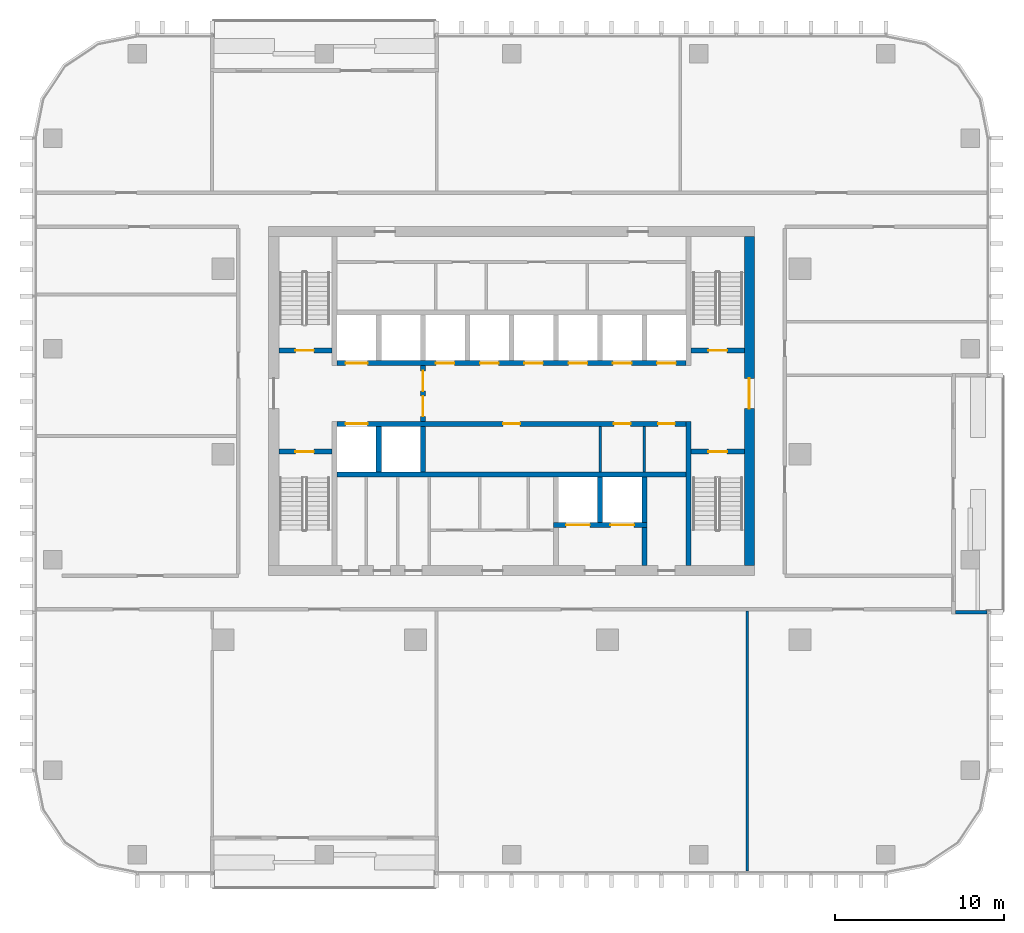
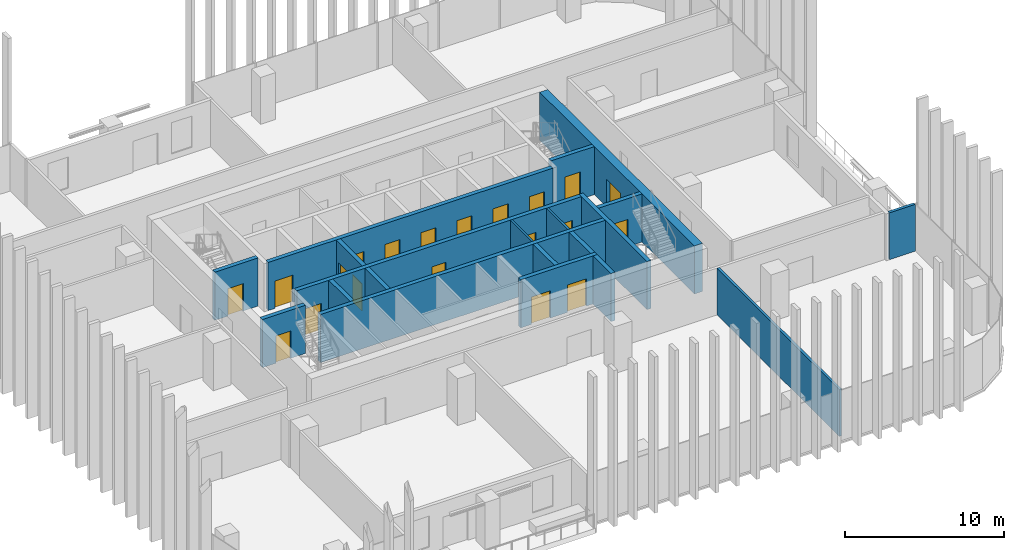
# One storey, part 8 of 15: 20 doors, 20 walls, 20 openings.
"""IFC4 building model written with IfcOpenShell, lengths in metres."""

from ifc_helpers import new_model, si_unit, direction, frame, frame_2d, origin, place, context, subcontext, project, spatial, rectangle, extrude, material, layer, layer_set, type_object, element, fill, save


model = new_model("IFC4")

# Units and contexts
model_context = context("Model", 3, precision=1e-05, world=origin(), true_north=direction((0.0, 1.0)))
body_context = subcontext(model_context, "Body", "Model", "MODEL_VIEW")
ifc_project = project(units=[si_unit("LENGTHUNIT", "METRE"), si_unit("AREAUNIT", "SQUARE_METRE"), si_unit("VOLUMEUNIT", "CUBIC_METRE"), si_unit("PLANEANGLEUNIT", "RADIAN"), si_unit("MASSUNIT", "GRAM", prefix="KILO")], contexts=[model_context])

# Site, building, storey
site_placement = place(None, origin())
site = spatial("IfcSite", under=ifc_project, at=site_placement, CompositionType="ELEMENT")
building_placement = place(site_placement, origin())
building = spatial("IfcBuilding", under=site, at=building_placement, Name="Mopane Tessera Tower", CompositionType="ELEMENT")
storey_placement = place(building_placement, frame((0.0, 0.0, 223.0)))
storey = spatial("IfcBuildingStorey", under=building, at=storey_placement, Name="L47", CompositionType="ELEMENT", Elevation=223.0)

# Walls
ifc_material_1 = material(Name="Fire-rated gypsum board partition")
ifc_layer_1 = layer(ifc_material_1, 0.14990234375)
ifc_layer_set_1 = layer_set([ifc_layer_1], Name="Fire-rated gypsum board partition")
wall_type_1 = type_object("IfcWallType", Name="Core room partition 150 mm", PredefinedType="PARTITIONING", material=ifc_layer_set_1)
for number, where, z_axis, x_axis, name in (
    (1, (5.25, -1.050048828125, 0.0), (0.0, 0.0, 1.0), (0.0, 1.0, 0.0), "L47 Room partition"),
    (2, (7.875, -1.050048828125, 0.0), (0.0, 0.0, 1.0), (0.0, 1.0, 0.0), "L47 Room partition"),
):
    element("IfcWall", number, at=place(storey_placement, frame(where, z_axis=z_axis, x_axis=x_axis)), inside=storey, type_object=wall_type_1, Name=name, PredefinedType="PARTITIONING", context=body_context, shape_type="SweptSolid", body=[
        extrude(rectangle(XDim=2.699951171875, YDim=0.14990234375, at=frame_2d((1.35009765625, 0.0))), origin(), (0.0, 0.0, 1.0), 3.699951171875),
    ])

# Wall, opening, door
ifc_material_2 = material(Name="Concrete C70/85", Category="concrete")
ifc_layer_2 = layer(ifc_material_2, 0.60009765625)
ifc_layer_set_2 = layer_set([ifc_layer_2], Name="Concrete C70/85")
wall_type_2 = type_object("IfcWallType", Name="Core shear wall 600 mm", PredefinedType="SHEAR", material=ifc_layer_set_2)
wall_1_placement = place(storey_placement, frame((14.10009765625, -6.60009765625, 0.0), z_axis=(0.0, 0.0, 1.0), x_axis=(0.0, 1.0, 0.0)))
wall_1 = element("IfcWall", 3, at=wall_1_placement, inside=storey, type_object=wall_type_2, Name="L47 Core wall east", PredefinedType="SHEAR", context=body_context, shape_type="SweptSolid", body=[
    extrude(rectangle(XDim=19.5, YDim=0.60009765625, at=frame_2d((9.75, 0.0))), origin(), (0.0, 0.0, 1.0), 3.699951171875),
])
opening_1_placement = place(wall_1_placement, frame((9.300048828125, 0.0, 0.0)))
opening_1 = element("IfcOpeningElement", 4, at=opening_1_placement, cuts=wall_1, Name="Opening SD2", PredefinedType="OPENING", context=body_context, shape_type="SweptSolid", body=[
    extrude(rectangle(XDim=1.800048828125, YDim=2.10009765625, at=frame_2d((0.89990234375, 1.050048828125))), frame((0.0, 0.31201171875, 0.0), z_axis=(0.0, -1.0, 0.0), x_axis=(1.0, 0.0, 0.0)), (0.0, 0.0, 1.0), 0.6240234375),
])
ifc_material_3 = material(Name="Steel fire door", Category="steel")
door_type_1 = type_object("IfcDoorType", Name="Core entrance double door 1800 x 2100", OperationType="DOUBLE_DOOR_SINGLE_SWING", PredefinedType="DOOR", material=ifc_material_3)
door_1_placement = place(opening_1_placement, origin())
door_1 = element("IfcDoor", 5, at=door_1_placement, inside=storey, type_object=door_type_1, Name="L47 Core entrance door east", OperationType="DOUBLE_DOOR_SINGLE_SWING", OverallHeight=2.10009765625, OverallWidth=1.800048828125, PredefinedType="DOOR", context=body_context, shape_type="SweptSolid", body=[
    extrude(rectangle(XDim=1.800048828125, YDim=2.10009765625, at=frame_2d((0.89990234375, 1.050048828125))), frame((0.0, 0.02490234375, 0.0), z_axis=(0.0, -1.0, 0.0), x_axis=(1.0, 0.0, 0.0)), (0.0, 0.0, 1.0), 0.050048828125),
])
fill(opening_1, door_1)

# Walls
ifc_material_4 = material(Name="Concrete C60/75", Category="concrete")
ifc_layer_3 = layer(ifc_material_4, 0.300048828125)
ifc_layer_set_3 = layer_set([ifc_layer_3], Name="Concrete C60/75")
wall_type_3 = type_object("IfcWallType", Name="Core spine wall 300 mm", PredefinedType="SHEAR", material=ifc_layer_set_3)
wall_2_placement = place(storey_placement, frame((10.5, -6.60009765625, 0.0), z_axis=(0.0, 0.0, 1.0), x_axis=(0.0, 1.0, 0.0)))
element("IfcWall", 6, at=wall_2_placement, inside=storey, type_object=wall_type_3, Name="L47 Core spine wall", PredefinedType="SHEAR", context=body_context, shape_type="SweptSolid", body=[
    extrude(rectangle(XDim=8.550048828125, YDim=0.300048828125, at=frame_2d((4.27490234375, 0.0))), origin(), (0.0, 0.0, 1.0), 3.699951171875),
])
ifc_material_5 = material(Name="Gypsum board on staggered steel studs, double layer each face, acoustic mineral wool infill", Category="steel")
ifc_layer_4 = layer(ifc_material_5, 0.175048828125)
ifc_layer_set_4 = layer_set([ifc_layer_4], Name="Gypsum board on staggered steel studs, double layer each face, acoustic mineral wool infill")
wall_type_4 = type_object("IfcWallType", Name="Gypsum board acoustic partition 175, rated EI 60", PredefinedType="PARTITIONING", material=ifc_layer_set_4)
wall_3_placement = place(storey_placement, frame((13.97509765625, -24.699951171875, 0.0), z_axis=(0.0, 0.0, 1.0), x_axis=(0.0, 1.0, 0.0)))
element("IfcWall", 7, at=wall_3_placement, inside=storey, type_object=wall_type_4, Name="Partition L47:017", PredefinedType="PARTITIONING", context=body_context, shape_type="SweptSolid", body=[
    extrude(rectangle(XDim=15.39990234375, YDim=0.175048828125, at=frame_2d((7.699951171875, 0.0))), origin(), (0.0, 0.0, 1.0), 3.60009765625),
])

# Wall, opening, door
ifc_material_6 = material(Name="Concrete C50/60", Category="concrete")
ifc_layer_5 = layer(ifc_material_6, 0.300048828125)
ifc_layer_set_5 = layer_set([ifc_layer_5], Name="Concrete C50/60")
wall_type_5 = type_object("IfcWallType", Name="Lift and stair shaft wall 300 mm", PredefinedType="SOLIDWALL", material=ifc_layer_set_5)
wall_4_placement = place(storey_placement, frame((-13.800048828125, 0.14990234375, 0.0), z_axis=(0.0, 0.0, 1.0), x_axis=(1.0, 0.0, 0.0)))
wall_4 = element("IfcWall", 8, at=wall_4_placement, inside=storey, type_object=wall_type_5, Name="L47 Stair enclosure wall", PredefinedType="SOLIDWALL", context=body_context, shape_type="SweptSolid", body=[
    extrude(rectangle(XDim=3.150146484375, YDim=0.300048828125, at=frame_2d((1.5751953125, 0.0))), origin(), (0.0, 0.0, 1.0), 3.699951171875),
])
opening_2_placement = place(wall_4_placement, frame((0.97509765625, 0.0, 0.0)))
opening_2 = element("IfcOpeningElement", 9, at=opening_2_placement, cuts=wall_4, Name="Opening SD1", PredefinedType="OPENING", context=body_context, shape_type="SweptSolid", body=[
    extrude(rectangle(XDim=1.10009765625, YDim=2.10009765625, at=frame_2d((0.550048828125, 1.050048828125))), frame((0.0, 0.162109375, 0.0), z_axis=(0.0, -1.0, 0.0), x_axis=(1.0, 0.0, 0.0)), (0.0, 0.0, 1.0), 0.323974609375),
])
ifc_material_7 = material(Name="Steel fire door", Category="steel")
door_type_2 = type_object("IfcDoorType", Name="Stair fire door 1100 x 2100", OperationType="SINGLE_SWING_LEFT", PredefinedType="DOOR", material=ifc_material_7)
door_2_placement = place(opening_2_placement, origin())
door_2 = element("IfcDoor", 10, at=door_2_placement, inside=storey, type_object=door_type_2, Name="L47 Stair door ST1", OperationType="SINGLE_SWING_LEFT", OverallHeight=2.10009765625, OverallWidth=1.10009765625, PredefinedType="DOOR", context=body_context, shape_type="SweptSolid", body=[
    extrude(rectangle(XDim=1.10009765625, YDim=2.10009765625, at=frame_2d((0.550048828125, 1.050048828125))), frame((0.0, 0.02490234375, 0.0), z_axis=(0.0, -1.0, 0.0), x_axis=(1.0, 0.0, 0.0)), (0.0, 0.0, 1.0), 0.050048828125),
])
fill(opening_2, door_2)

wall_5_placement = place(storey_placement, frame((-13.800048828125, 6.14990234375, 0.0), z_axis=(0.0, 0.0, 1.0), x_axis=(1.0, 0.0, 0.0)))
wall_5 = element("IfcWall", 11, at=wall_5_placement, inside=storey, type_object=wall_type_5, Name="L47 Stair enclosure wall", PredefinedType="SOLIDWALL", context=body_context, shape_type="SweptSolid", body=[
    extrude(rectangle(XDim=3.150146484375, YDim=0.300048828125, at=frame_2d((1.5751953125, 0.0))), origin(), (0.0, 0.0, 1.0), 3.699951171875),
])
opening_3_placement = place(wall_5_placement, frame((0.97509765625, 0.0, 0.0)))
opening_3 = element("IfcOpeningElement", 12, at=opening_3_placement, cuts=wall_5, Name="Opening SD1", PredefinedType="OPENING", context=body_context, shape_type="SweptSolid", body=[
    extrude(rectangle(XDim=1.10009765625, YDim=2.10009765625, at=frame_2d((0.550048828125, 1.050048828125))), frame((0.0, 0.162109375, 0.0), z_axis=(0.0, -1.0, 0.0), x_axis=(1.0, 0.0, 0.0)), (0.0, 0.0, 1.0), 0.323974609375),
])
door_3_placement = place(opening_3_placement, origin())
door_3 = element("IfcDoor", 13, at=door_3_placement, inside=storey, type_object=door_type_2, Name="L47 Stair door ST2", OperationType="SINGLE_SWING_LEFT", OverallHeight=2.10009765625, OverallWidth=1.10009765625, PredefinedType="DOOR", context=body_context, shape_type="SweptSolid", body=[
    extrude(rectangle(XDim=1.10009765625, YDim=2.10009765625, at=frame_2d((0.550048828125, 1.050048828125))), frame((0.0, 0.02490234375, 0.0), z_axis=(0.0, -1.0, 0.0), x_axis=(1.0, 0.0, 0.0)), (0.0, 0.0, 1.0), 0.050048828125),
])
fill(opening_3, door_3)

wall_6_placement = place(storey_placement, frame((10.64990234375, 0.14990234375, 0.0), z_axis=(0.0, 0.0, 1.0), x_axis=(1.0, 0.0, 0.0)))
wall_6 = element("IfcWall", 14, at=wall_6_placement, inside=storey, type_object=wall_type_5, Name="L47 Stair enclosure wall", PredefinedType="SOLIDWALL", context=body_context, shape_type="SweptSolid", body=[
    extrude(rectangle(XDim=3.150146484375, YDim=0.300048828125, at=frame_2d((1.5751953125, 0.0))), origin(), (0.0, 0.0, 1.0), 3.699951171875),
])
opening_4_placement = place(wall_6_placement, frame((1.02490234375, 0.0, 0.0)))
opening_4 = element("IfcOpeningElement", 15, at=opening_4_placement, cuts=wall_6, Name="Opening SD1", PredefinedType="OPENING", context=body_context, shape_type="SweptSolid", body=[
    extrude(rectangle(XDim=1.10009765625, YDim=2.10009765625, at=frame_2d((0.550048828125, 1.050048828125))), frame((0.0, 0.162109375, 0.0), z_axis=(0.0, -1.0, 0.0), x_axis=(1.0, 0.0, 0.0)), (0.0, 0.0, 1.0), 0.323974609375),
])
door_4_placement = place(opening_4_placement, origin())
door_4 = element("IfcDoor", 16, at=door_4_placement, inside=storey, type_object=door_type_2, Name="L47 Stair door ST3", OperationType="SINGLE_SWING_RIGHT", OverallHeight=2.10009765625, OverallWidth=1.10009765625, PredefinedType="DOOR", context=body_context, shape_type="SweptSolid", body=[
    extrude(rectangle(XDim=1.10009765625, YDim=2.10009765625, at=frame_2d((0.550048828125, 1.050048828125))), frame((0.0, 0.02490234375, 0.0), z_axis=(0.0, -1.0, 0.0), x_axis=(1.0, 0.0, 0.0)), (0.0, 0.0, 1.0), 0.050048828125),
])
fill(opening_4, door_4)

wall_7_placement = place(storey_placement, frame((10.64990234375, 6.14990234375, 0.0), z_axis=(0.0, 0.0, 1.0), x_axis=(1.0, 0.0, 0.0)))
wall_7 = element("IfcWall", 17, at=wall_7_placement, inside=storey, type_object=wall_type_5, Name="L47 Stair enclosure wall", PredefinedType="SOLIDWALL", context=body_context, shape_type="SweptSolid", body=[
    extrude(rectangle(XDim=3.150146484375, YDim=0.300048828125, at=frame_2d((1.5751953125, 0.0))), origin(), (0.0, 0.0, 1.0), 3.699951171875),
])
opening_5_placement = place(wall_7_placement, frame((1.02490234375, 0.0, 0.0)))
opening_5 = element("IfcOpeningElement", 18, at=opening_5_placement, cuts=wall_7, Name="Opening SD1", PredefinedType="OPENING", context=body_context, shape_type="SweptSolid", body=[
    extrude(rectangle(XDim=1.10009765625, YDim=2.10009765625, at=frame_2d((0.550048828125, 1.050048828125))), frame((0.0, 0.162109375, 0.0), z_axis=(0.0, -1.0, 0.0), x_axis=(1.0, 0.0, 0.0)), (0.0, 0.0, 1.0), 0.323974609375),
])
door_5_placement = place(opening_5_placement, origin())
door_5 = element("IfcDoor", 19, at=door_5_placement, inside=storey, type_object=door_type_2, Name="L47 Stair door ST4", OperationType="SINGLE_SWING_RIGHT", OverallHeight=2.10009765625, OverallWidth=1.10009765625, PredefinedType="DOOR", context=body_context, shape_type="SweptSolid", body=[
    extrude(rectangle(XDim=1.10009765625, YDim=2.10009765625, at=frame_2d((0.550048828125, 1.050048828125))), frame((0.0, 0.02490234375, 0.0), z_axis=(0.0, -1.0, 0.0), x_axis=(1.0, 0.0, 0.0)), (0.0, 0.0, 1.0), 0.050048828125),
])
fill(opening_5, door_5)

# Wall
wall_8_placement = place(storey_placement, frame((-10.35009765625, -1.199951171875, 0.0), z_axis=(0.0, 0.0, 1.0), x_axis=(1.0, 0.0, 0.0)))
element("IfcWall", 20, at=wall_8_placement, inside=storey, type_object=wall_type_5, Name="L47 Lift shaft rear wall", PredefinedType="SOLIDWALL", context=body_context, shape_type="SweptSolid", body=[
    extrude(rectangle(XDim=20.7001953125, YDim=0.300048828125, at=frame_2d((10.35009765625, 0.0))), origin(), (0.0, 0.0, 1.0), 3.699951171875),
])

# Wall, openings, doors
wall_9_placement = place(storey_placement, frame((-10.35009765625, 1.800048828125, 0.0), z_axis=(0.0, 0.0, 1.0), x_axis=(1.0, 0.0, 0.0)))
wall_9 = element("IfcWall", 21, at=wall_9_placement, inside=storey, type_object=wall_type_5, Name="L47 Lift shaft front wall", PredefinedType="SOLIDWALL", context=body_context, shape_type="SweptSolid", body=[
    extrude(rectangle(XDim=20.7001953125, YDim=0.300048828125, at=frame_2d((10.35009765625, 0.0))), origin(), (0.0, 0.0, 1.0), 3.699951171875),
])
opening_6_placement = place(wall_9_placement, frame((0.512451171875, 0.0, 0.0)))
opening_6 = element("IfcOpeningElement", 22, at=opening_6_placement, cuts=wall_9, Name="Opening LD2", PredefinedType="OPENING", context=body_context, shape_type="SweptSolid", body=[
    extrude(rectangle(XDim=1.300048828125, YDim=2.10009765625, at=frame_2d((0.64990234375, 1.050048828125))), frame((0.0, 0.162109375, 0.0), z_axis=(0.0, -1.0, 0.0), x_axis=(1.0, 0.0, 0.0)), (0.0, 0.0, 1.0), 0.323974609375),
])
opening_7_placement = place(wall_9_placement, frame((9.85009765625, 0.0, 0.0)))
opening_7 = element("IfcOpeningElement", 23, at=opening_7_placement, cuts=wall_9, Name="Opening RD1", PredefinedType="OPENING", context=body_context, shape_type="SweptSolid", body=[
    extrude(rectangle(XDim=1.0, YDim=2.10009765625, at=frame_2d((0.5, 1.050048828125))), frame((0.0, 0.162109375, 0.0), z_axis=(0.0, -1.0, 0.0), x_axis=(1.0, 0.0, 0.0)), (0.0, 0.0, 1.0), 0.323974609375),
])
opening_8_placement = place(wall_9_placement, frame((16.41259765625, 0.0, 0.0)))
opening_8 = element("IfcOpeningElement", 24, at=opening_8_placement, cuts=wall_9, Name="Opening RD1", PredefinedType="OPENING", context=body_context, shape_type="SweptSolid", body=[
    extrude(rectangle(XDim=1.0, YDim=2.10009765625, at=frame_2d((0.5, 1.050048828125))), frame((0.0, 0.162109375, 0.0), z_axis=(0.0, -1.0, 0.0), x_axis=(1.0, 0.0, 0.0)), (0.0, 0.0, 1.0), 0.323974609375),
])
opening_9_placement = place(wall_9_placement, frame((19.03759765625, 0.0, 0.0)))
opening_9 = element("IfcOpeningElement", 25, at=opening_9_placement, cuts=wall_9, Name="Opening RD1", PredefinedType="OPENING", context=body_context, shape_type="SweptSolid", body=[
    extrude(rectangle(XDim=1.0, YDim=2.10009765625, at=frame_2d((0.5, 1.050048828125))), frame((0.0, 0.162109375, 0.0), z_axis=(0.0, -1.0, 0.0), x_axis=(1.0, 0.0, 0.0)), (0.0, 0.0, 1.0), 0.323974609375),
])
ifc_material_8 = material(Name="Timber door", Category="wood")
door_type_3 = type_object("IfcDoorType", Name="Core room door 1000 x 2100", OperationType="SINGLE_SWING_LEFT", PredefinedType="DOOR", material=ifc_material_8)
door_6_placement = place(opening_7_placement, origin())
door_6 = element("IfcDoor", 26, at=door_6_placement, inside=storey, type_object=door_type_3, Name="L47 Room door", OperationType="SINGLE_SWING_LEFT", OverallHeight=2.10009765625, OverallWidth=1.0, PredefinedType="DOOR", context=body_context, shape_type="SweptSolid", body=[
    extrude(rectangle(XDim=1.0, YDim=2.10009765625, at=frame_2d((0.5, 1.050048828125))), frame((0.0, 0.02490234375, 0.0), z_axis=(0.0, -1.0, 0.0), x_axis=(1.0, 0.0, 0.0)), (0.0, 0.0, 1.0), 0.050048828125),
])
fill(opening_7, door_6)
door_7_placement = place(opening_8_placement, origin())
door_7 = element("IfcDoor", 27, at=door_7_placement, inside=storey, type_object=door_type_3, Name="L47 Room door", OperationType="SINGLE_SWING_LEFT", OverallHeight=2.10009765625, OverallWidth=1.0, PredefinedType="DOOR", context=body_context, shape_type="SweptSolid", body=[
    extrude(rectangle(XDim=1.0, YDim=2.10009765625, at=frame_2d((0.5, 1.050048828125))), frame((0.0, 0.02490234375, 0.0), z_axis=(0.0, -1.0, 0.0), x_axis=(1.0, 0.0, 0.0)), (0.0, 0.0, 1.0), 0.050048828125),
])
fill(opening_8, door_7)
door_8_placement = place(opening_9_placement, origin())
door_8 = element("IfcDoor", 28, at=door_8_placement, inside=storey, type_object=door_type_3, Name="L47 Room door", OperationType="SINGLE_SWING_LEFT", OverallHeight=2.10009765625, OverallWidth=1.0, PredefinedType="DOOR", context=body_context, shape_type="SweptSolid", body=[
    extrude(rectangle(XDim=1.0, YDim=2.10009765625, at=frame_2d((0.5, 1.050048828125))), frame((0.0, 0.02490234375, 0.0), z_axis=(0.0, -1.0, 0.0), x_axis=(1.0, 0.0, 0.0)), (0.0, 0.0, 1.0), 0.050048828125),
])
fill(opening_9, door_8)
ifc_material_9 = material(Name="Stainless steel sliding door", Category="steel")
door_type_4 = type_object("IfcDoorType", Name="Fire-fighting lift landing door 1300 x 2100", OperationType="DOUBLE_DOOR_SLIDING", PredefinedType="DOOR", material=ifc_material_9)
door_9_placement = place(opening_6_placement, origin())
door_9 = element("IfcDoor", 29, at=door_9_placement, inside=storey, type_object=door_type_4, Name="L47 Lift landing door FF1", OperationType="DOUBLE_DOOR_SLIDING", OverallHeight=2.10009765625, OverallWidth=1.300048828125, PredefinedType="DOOR", context=body_context, shape_type="SweptSolid", body=[
    extrude(rectangle(XDim=1.300048828125, YDim=2.10009765625, at=frame_2d((0.64990234375, 1.050048828125))), frame((0.0, 0.02490234375, 0.0), z_axis=(0.0, -1.0, 0.0), x_axis=(1.0, 0.0, 0.0)), (0.0, 0.0, 1.0), 0.050048828125),
])
fill(opening_6, door_9)

wall_10_placement = place(storey_placement, frame((-10.35009765625, 5.39990234375, 0.0), z_axis=(0.0, 0.0, 1.0), x_axis=(1.0, 0.0, 0.0)))
wall_10 = element("IfcWall", 30, at=wall_10_placement, inside=storey, type_object=wall_type_5, Name="L47 Lift shaft front wall", PredefinedType="SOLIDWALL", context=body_context, shape_type="SweptSolid", body=[
    extrude(rectangle(XDim=20.7001953125, YDim=0.300048828125, at=frame_2d((10.35009765625, 0.0))), origin(), (0.0, 0.0, 1.0), 3.699951171875),
])
opening_10_placement = place(wall_10_placement, frame((0.512451171875, 0.0, 0.0)))
opening_10 = element("IfcOpeningElement", 31, at=opening_10_placement, cuts=wall_10, Name="Opening LD2", PredefinedType="OPENING", context=body_context, shape_type="SweptSolid", body=[
    extrude(rectangle(XDim=1.300048828125, YDim=2.10009765625, at=frame_2d((0.64990234375, 1.050048828125))), frame((0.0, 0.162109375, 0.0), z_axis=(0.0, -1.0, 0.0), x_axis=(1.0, 0.0, 0.0)), (0.0, 0.0, 1.0), 0.323974609375),
])
opening_11_placement = place(wall_10_placement, frame((5.862548828125, 0.0, 0.0)))
opening_11 = element("IfcOpeningElement", 32, at=opening_11_placement, cuts=wall_10, Name="Opening LD", PredefinedType="OPENING", context=body_context, shape_type="SweptSolid", body=[
    extrude(rectangle(XDim=1.10009765625, YDim=2.10009765625, at=frame_2d((0.550048828125, 1.050048828125))), frame((0.0, 0.162109375, 0.0), z_axis=(0.0, -1.0, 0.0), x_axis=(1.0, 0.0, 0.0)), (0.0, 0.0, 1.0), 0.323974609375),
])
opening_12_placement = place(wall_10_placement, frame((8.487548828125, 0.0, 0.0)))
opening_12 = element("IfcOpeningElement", 33, at=opening_12_placement, cuts=wall_10, Name="Opening LD", PredefinedType="OPENING", context=body_context, shape_type="SweptSolid", body=[
    extrude(rectangle(XDim=1.10009765625, YDim=2.10009765625, at=frame_2d((0.550048828125, 1.050048828125))), frame((0.0, 0.162109375, 0.0), z_axis=(0.0, -1.0, 0.0), x_axis=(1.0, 0.0, 0.0)), (0.0, 0.0, 1.0), 0.323974609375),
])
opening_13_placement = place(wall_10_placement, frame((11.112548828125, 0.0, 0.0)))
opening_13 = element("IfcOpeningElement", 34, at=opening_13_placement, cuts=wall_10, Name="Opening LD", PredefinedType="OPENING", context=body_context, shape_type="SweptSolid", body=[
    extrude(rectangle(XDim=1.10009765625, YDim=2.10009765625, at=frame_2d((0.550048828125, 1.050048828125))), frame((0.0, 0.162109375, 0.0), z_axis=(0.0, -1.0, 0.0), x_axis=(1.0, 0.0, 0.0)), (0.0, 0.0, 1.0), 0.323974609375),
])
opening_14_placement = place(wall_10_placement, frame((13.737548828125, 0.0, 0.0)))
opening_14 = element("IfcOpeningElement", 35, at=opening_14_placement, cuts=wall_10, Name="Opening LD", PredefinedType="OPENING", context=body_context, shape_type="SweptSolid", body=[
    extrude(rectangle(XDim=1.10009765625, YDim=2.10009765625, at=frame_2d((0.550048828125, 1.050048828125))), frame((0.0, 0.162109375, 0.0), z_axis=(0.0, -1.0, 0.0), x_axis=(1.0, 0.0, 0.0)), (0.0, 0.0, 1.0), 0.323974609375),
])
opening_15_placement = place(wall_10_placement, frame((16.362548828125, 0.0, 0.0)))
opening_15 = element("IfcOpeningElement", 36, at=opening_15_placement, cuts=wall_10, Name="Opening LD", PredefinedType="OPENING", context=body_context, shape_type="SweptSolid", body=[
    extrude(rectangle(XDim=1.10009765625, YDim=2.10009765625, at=frame_2d((0.550048828125, 1.050048828125))), frame((0.0, 0.162109375, 0.0), z_axis=(0.0, -1.0, 0.0), x_axis=(1.0, 0.0, 0.0)), (0.0, 0.0, 1.0), 0.323974609375),
])
opening_16_placement = place(wall_10_placement, frame((18.987548828125, 0.0, 0.0)))
opening_16 = element("IfcOpeningElement", 37, at=opening_16_placement, cuts=wall_10, Name="Opening LD", PredefinedType="OPENING", context=body_context, shape_type="SweptSolid", body=[
    extrude(rectangle(XDim=1.10009765625, YDim=2.10009765625, at=frame_2d((0.550048828125, 1.050048828125))), frame((0.0, 0.162109375, 0.0), z_axis=(0.0, -1.0, 0.0), x_axis=(1.0, 0.0, 0.0)), (0.0, 0.0, 1.0), 0.323974609375),
])
door_10_placement = place(opening_10_placement, origin())
door_10 = element("IfcDoor", 38, at=door_10_placement, inside=storey, type_object=door_type_4, Name="L47 Lift landing door FF2", OperationType="DOUBLE_DOOR_SLIDING", OverallHeight=2.10009765625, OverallWidth=1.300048828125, PredefinedType="DOOR", context=body_context, shape_type="SweptSolid", body=[
    extrude(rectangle(XDim=1.300048828125, YDim=2.10009765625, at=frame_2d((0.64990234375, 1.050048828125))), frame((0.0, 0.02490234375, 0.0), z_axis=(0.0, -1.0, 0.0), x_axis=(1.0, 0.0, 0.0)), (0.0, 0.0, 1.0), 0.050048828125),
])
fill(opening_10, door_10)
ifc_material_10 = material(Name="Stainless steel sliding door", Category="steel")
door_type_5 = type_object("IfcDoorType", Name="Lift landing door 1100 x 2100", OperationType="DOUBLE_DOOR_SLIDING", PredefinedType="DOOR", material=ifc_material_10)
door_11_placement = place(opening_11_placement, origin())
door_11 = element("IfcDoor", 39, at=door_11_placement, inside=storey, type_object=door_type_5, Name="L47 Lift landing door HR1", OperationType="DOUBLE_DOOR_SLIDING", OverallHeight=2.10009765625, OverallWidth=1.10009765625, PredefinedType="DOOR", context=body_context, shape_type="SweptSolid", body=[
    extrude(rectangle(XDim=1.10009765625, YDim=2.10009765625, at=frame_2d((0.550048828125, 1.050048828125))), frame((0.0, 0.02490234375, 0.0), z_axis=(0.0, -1.0, 0.0), x_axis=(1.0, 0.0, 0.0)), (0.0, 0.0, 1.0), 0.050048828125),
])
fill(opening_11, door_11)
door_12_placement = place(opening_12_placement, origin())
door_12 = element("IfcDoor", 40, at=door_12_placement, inside=storey, type_object=door_type_5, Name="L47 Lift landing door HR2", OperationType="DOUBLE_DOOR_SLIDING", OverallHeight=2.10009765625, OverallWidth=1.10009765625, PredefinedType="DOOR", context=body_context, shape_type="SweptSolid", body=[
    extrude(rectangle(XDim=1.10009765625, YDim=2.10009765625, at=frame_2d((0.550048828125, 1.050048828125))), frame((0.0, 0.02490234375, 0.0), z_axis=(0.0, -1.0, 0.0), x_axis=(1.0, 0.0, 0.0)), (0.0, 0.0, 1.0), 0.050048828125),
])
fill(opening_12, door_12)
door_13_placement = place(opening_13_placement, origin())
door_13 = element("IfcDoor", 41, at=door_13_placement, inside=storey, type_object=door_type_5, Name="L47 Lift landing door HR3", OperationType="DOUBLE_DOOR_SLIDING", OverallHeight=2.10009765625, OverallWidth=1.10009765625, PredefinedType="DOOR", context=body_context, shape_type="SweptSolid", body=[
    extrude(rectangle(XDim=1.10009765625, YDim=2.10009765625, at=frame_2d((0.550048828125, 1.050048828125))), frame((0.0, 0.02490234375, 0.0), z_axis=(0.0, -1.0, 0.0), x_axis=(1.0, 0.0, 0.0)), (0.0, 0.0, 1.0), 0.050048828125),
])
fill(opening_13, door_13)
door_14_placement = place(opening_14_placement, origin())
door_14 = element("IfcDoor", 42, at=door_14_placement, inside=storey, type_object=door_type_5, Name="L47 Lift landing door HR4", OperationType="DOUBLE_DOOR_SLIDING", OverallHeight=2.10009765625, OverallWidth=1.10009765625, PredefinedType="DOOR", context=body_context, shape_type="SweptSolid", body=[
    extrude(rectangle(XDim=1.10009765625, YDim=2.10009765625, at=frame_2d((0.550048828125, 1.050048828125))), frame((0.0, 0.02490234375, 0.0), z_axis=(0.0, -1.0, 0.0), x_axis=(1.0, 0.0, 0.0)), (0.0, 0.0, 1.0), 0.050048828125),
])
fill(opening_14, door_14)
door_15_placement = place(opening_15_placement, origin())
door_15 = element("IfcDoor", 43, at=door_15_placement, inside=storey, type_object=door_type_5, Name="L47 Lift landing door HR5", OperationType="DOUBLE_DOOR_SLIDING", OverallHeight=2.10009765625, OverallWidth=1.10009765625, PredefinedType="DOOR", context=body_context, shape_type="SweptSolid", body=[
    extrude(rectangle(XDim=1.10009765625, YDim=2.10009765625, at=frame_2d((0.550048828125, 1.050048828125))), frame((0.0, 0.02490234375, 0.0), z_axis=(0.0, -1.0, 0.0), x_axis=(1.0, 0.0, 0.0)), (0.0, 0.0, 1.0), 0.050048828125),
])
fill(opening_15, door_15)
door_16_placement = place(opening_16_placement, origin())
door_16 = element("IfcDoor", 44, at=door_16_placement, inside=storey, type_object=door_type_5, Name="L47 Lift landing door HR6", OperationType="DOUBLE_DOOR_SLIDING", OverallHeight=2.10009765625, OverallWidth=1.10009765625, PredefinedType="DOOR", context=body_context, shape_type="SweptSolid", body=[
    extrude(rectangle(XDim=1.10009765625, YDim=2.10009765625, at=frame_2d((0.550048828125, 1.050048828125))), frame((0.0, 0.02490234375, 0.0), z_axis=(0.0, -1.0, 0.0), x_axis=(1.0, 0.0, 0.0)), (0.0, 0.0, 1.0), 0.050048828125),
])
fill(opening_16, door_16)

# Walls
for number, where, z_axis, x_axis, name in (
    (45, (-7.875, -1.050048828125, 0.0), (0.0, 0.0, 1.0), (0.0, 1.0, 0.0), "L47 Lift shaft wall"),
    (46, (-5.25, -1.050048828125, 0.0), (0.0, 0.0, 1.0), (0.0, 1.0, 0.0), "L47 Lift shaft wall"),
):
    element("IfcWall", number, at=place(storey_placement, frame(where, z_axis=z_axis, x_axis=x_axis)), inside=storey, type_object=wall_type_5, Name=name, PredefinedType="SOLIDWALL", context=body_context, shape_type="SweptSolid", body=[
        extrude(rectangle(XDim=2.699951171875, YDim=0.300048828125, at=frame_2d((1.35009765625, 0.0))), origin(), (0.0, 0.0, 1.0), 3.699951171875),
    ])

# Wall, openings, doors
wall_11_placement = place(storey_placement, frame((2.47509765625, -4.199951171875, 0.0), z_axis=(0.0, 0.0, 1.0), x_axis=(1.0, 0.0, 0.0)))
wall_11 = element("IfcWall", 47, at=wall_11_placement, inside=storey, type_object=wall_type_5, Name="L47 Lift shaft front wall", PredefinedType="SOLIDWALL", context=body_context, shape_type="SweptSolid", body=[
    extrude(rectangle(XDim=5.5498046875, YDim=0.300048828125, at=frame_2d((2.77490234375, 0.0))), origin(), (0.0, 0.0, 1.0), 3.699951171875),
])
opening_17_placement = place(wall_11_placement, frame((0.762451171875, 0.0, 0.0)))
opening_17 = element("IfcOpeningElement", 48, at=opening_17_placement, cuts=wall_11, Name="Opening LD3", PredefinedType="OPENING", context=body_context, shape_type="SweptSolid", body=[
    extrude(rectangle(XDim=1.39990234375, YDim=2.10009765625, at=frame_2d((0.699951171875, 1.050048828125))), frame((0.0, 0.162109375, 0.0), z_axis=(0.0, -1.0, 0.0), x_axis=(1.0, 0.0, 0.0)), (0.0, 0.0, 1.0), 0.323974609375),
])
opening_18_placement = place(wall_11_placement, frame((3.387451171875, 0.0, 0.0)))
opening_18 = element("IfcOpeningElement", 49, at=opening_18_placement, cuts=wall_11, Name="Opening LD3", PredefinedType="OPENING", context=body_context, shape_type="SweptSolid", body=[
    extrude(rectangle(XDim=1.39990234375, YDim=2.10009765625, at=frame_2d((0.699951171875, 1.050048828125))), frame((0.0, 0.162109375, 0.0), z_axis=(0.0, -1.0, 0.0), x_axis=(1.0, 0.0, 0.0)), (0.0, 0.0, 1.0), 0.323974609375),
])
ifc_material_11 = material(Name="Stainless steel sliding door", Category="steel")
door_type_6 = type_object("IfcDoorType", Name="Service lift landing door 1400 x 2100", OperationType="DOUBLE_DOOR_SLIDING", PredefinedType="DOOR", material=ifc_material_11)
door_17_placement = place(opening_17_placement, origin())
door_17 = element("IfcDoor", 50, at=door_17_placement, inside=storey, type_object=door_type_6, Name="L47 Lift landing door SV1", OperationType="DOUBLE_DOOR_SLIDING", OverallHeight=2.10009765625, OverallWidth=1.39990234375, PredefinedType="DOOR", context=body_context, shape_type="SweptSolid", body=[
    extrude(rectangle(XDim=1.39990234375, YDim=2.10009765625, at=frame_2d((0.699951171875, 1.050048828125))), frame((0.0, 0.02490234375, 0.0), z_axis=(0.0, -1.0, 0.0), x_axis=(1.0, 0.0, 0.0)), (0.0, 0.0, 1.0), 0.050048828125),
])
fill(opening_17, door_17)
door_18_placement = place(opening_18_placement, origin())
door_18 = element("IfcDoor", 51, at=door_18_placement, inside=storey, type_object=door_type_6, Name="L47 Lift landing door SV2", OperationType="DOUBLE_DOOR_SLIDING", OverallHeight=2.10009765625, OverallWidth=1.39990234375, PredefinedType="DOOR", context=body_context, shape_type="SweptSolid", body=[
    extrude(rectangle(XDim=1.39990234375, YDim=2.10009765625, at=frame_2d((0.699951171875, 1.050048828125))), frame((0.0, 0.02490234375, 0.0), z_axis=(0.0, -1.0, 0.0), x_axis=(1.0, 0.0, 0.0)), (0.0, 0.0, 1.0), 0.050048828125),
])
fill(opening_18, door_18)

# Walls
for number, where, z_axis, x_axis, name in (
    (52, (5.25, -4.050048828125, 0.0), (0.0, 0.0, 1.0), (0.0, 1.0, 0.0), "L47 Lift shaft wall"),
    (53, (7.875, -4.050048828125, 0.0), (0.0, 0.0, 1.0), (0.0, 1.0, 0.0), "L47 Lift shaft wall"),
):
    element("IfcWall", number, at=place(storey_placement, frame(where, z_axis=z_axis, x_axis=x_axis)), inside=storey, type_object=wall_type_5, Name=name, PredefinedType="SOLIDWALL", context=body_context, shape_type="SweptSolid", body=[
        extrude(rectangle(XDim=2.699951171875, YDim=0.300048828125, at=frame_2d((1.35009765625, 0.0))), origin(), (0.0, 0.0, 1.0), 3.699951171875),
    ])

# Wall, openings, doors
ifc_material_12 = material(Name="Concrete C50/60", Category="concrete")
ifc_layer_6 = layer(ifc_material_12, 0.300048828125)
ifc_layer_set_6 = layer_set([ifc_layer_6], Name="Concrete C50/60")
wall_type_6 = type_object("IfcWallType", Name="Lobby and refuge room wall 300 mm", PredefinedType="SOLIDWALL", material=ifc_layer_set_6)
wall_12_placement = place(storey_placement, frame((-5.25, 1.949951171875, 0.0), z_axis=(0.0, 0.0, 1.0), x_axis=(0.0, 1.0, 0.0)))
wall_12 = element("IfcWall", 54, at=wall_12_placement, inside=storey, type_object=wall_type_6, Name="L47 Fire-fighting lobby wall", PredefinedType="SOLIDWALL", context=body_context, shape_type="SweptSolid", body=[
    extrude(rectangle(XDim=3.300048828125, YDim=0.300048828125, at=frame_2d((1.64990234375, 0.0))), origin(), (0.0, 0.0, 1.0), 3.699951171875),
])
opening_19_placement = place(wall_12_placement, frame((0.300048828125, 0.0, 0.0)))
opening_19 = element("IfcOpeningElement", 55, at=opening_19_placement, cuts=wall_12, Name="Opening SD3", PredefinedType="OPENING", context=body_context, shape_type="SweptSolid", body=[
    extrude(rectangle(XDim=1.199951171875, YDim=2.10009765625, at=frame_2d((0.60009765625, 1.050048828125))), frame((0.0, 0.162109375, 0.0), z_axis=(0.0, -1.0, 0.0), x_axis=(1.0, 0.0, 0.0)), (0.0, 0.0, 1.0), 0.323974609375),
])
opening_20_placement = place(wall_12_placement, frame((1.800048828125, 0.0, 0.0)))
opening_20 = element("IfcOpeningElement", 56, at=opening_20_placement, cuts=wall_12, Name="Opening SD3", PredefinedType="OPENING", context=body_context, shape_type="SweptSolid", body=[
    extrude(rectangle(XDim=1.199951171875, YDim=2.10009765625, at=frame_2d((0.60009765625, 1.050048828125))), frame((0.0, 0.162109375, 0.0), z_axis=(0.0, -1.0, 0.0), x_axis=(1.0, 0.0, 0.0)), (0.0, 0.0, 1.0), 0.323974609375),
])
ifc_material_13 = material(Name="Steel fire door", Category="steel")
door_type_7 = type_object("IfcDoorType", Name="Lobby fire door 1200 x 2100", OperationType="SINGLE_SWING_LEFT", PredefinedType="DOOR", material=ifc_material_13)
door_19_placement = place(opening_19_placement, origin())
door_19 = element("IfcDoor", 57, at=door_19_placement, inside=storey, type_object=door_type_7, Name="L47 Fire-fighting lobby door", OperationType="SINGLE_SWING_LEFT", OverallHeight=2.10009765625, OverallWidth=1.199951171875, PredefinedType="DOOR", context=body_context, shape_type="SweptSolid", body=[
    extrude(rectangle(XDim=1.199951171875, YDim=2.10009765625, at=frame_2d((0.60009765625, 1.050048828125))), frame((0.0, 0.02490234375, 0.0), z_axis=(0.0, -1.0, 0.0), x_axis=(1.0, 0.0, 0.0)), (0.0, 0.0, 1.0), 0.050048828125),
])
fill(opening_19, door_19)
door_20_placement = place(opening_20_placement, origin())
door_20 = element("IfcDoor", 58, at=door_20_placement, inside=storey, type_object=door_type_7, Name="L47 Fire-fighting lobby door", OperationType="SINGLE_SWING_RIGHT", OverallHeight=2.10009765625, OverallWidth=1.199951171875, PredefinedType="DOOR", context=body_context, shape_type="SweptSolid", body=[
    extrude(rectangle(XDim=1.199951171875, YDim=2.10009765625, at=frame_2d((0.60009765625, 1.050048828125))), frame((0.0, 0.02490234375, 0.0), z_axis=(0.0, -1.0, 0.0), x_axis=(1.0, 0.0, 0.0)), (0.0, 0.0, 1.0), 0.050048828125),
])
fill(opening_20, door_20)

# Walls
wall_13_placement = place(storey_placement, frame((7.875, -6.60009765625, 0.0), z_axis=(0.0, 0.0, 1.0), x_axis=(0.0, 1.0, 0.0)))
element("IfcWall", 59, at=wall_13_placement, inside=storey, type_object=wall_type_6, Name="L47 Service lobby wall", PredefinedType="SOLIDWALL", context=body_context, shape_type="SweptSolid", body=[
    extrude(rectangle(XDim=2.25, YDim=0.300048828125, at=frame_2d((1.125, 0.0))), origin(), (0.0, 0.0, 1.0), 3.699951171875),
])
ifc_material_14 = material(Name="Blockwork with glazed tile facing", Category="masonry")
ifc_layer_7 = layer(ifc_material_14, 0.199951171875)
ifc_layer_set_7 = layer_set([ifc_layer_7], Name="Blockwork with glazed tile facing")
wall_type_7 = type_object("IfcWallType", Name="Terrace cheek wall 200", PredefinedType="STANDARD", material=ifc_layer_set_7)
wall_14_placement = place(storey_placement, frame((28.199951171875, -9.375, 0.0), z_axis=(0.0, 0.0, 1.0), x_axis=(-1.0, 0.0, 0.0)))
element("IfcWall", 60, at=wall_14_placement, inside=storey, type_object=wall_type_7, Name="e:nw:L47:N2:cheeka", PredefinedType="STANDARD", context=body_context, shape_type="SweptSolid", body=[
    extrude(rectangle(XDim=1.875, YDim=0.199951171875, at=frame_2d((0.9375, 0.0))), origin(), (0.0, 0.0, 1.0), 3.60009765625),
])

save(model, "model.ifc")
